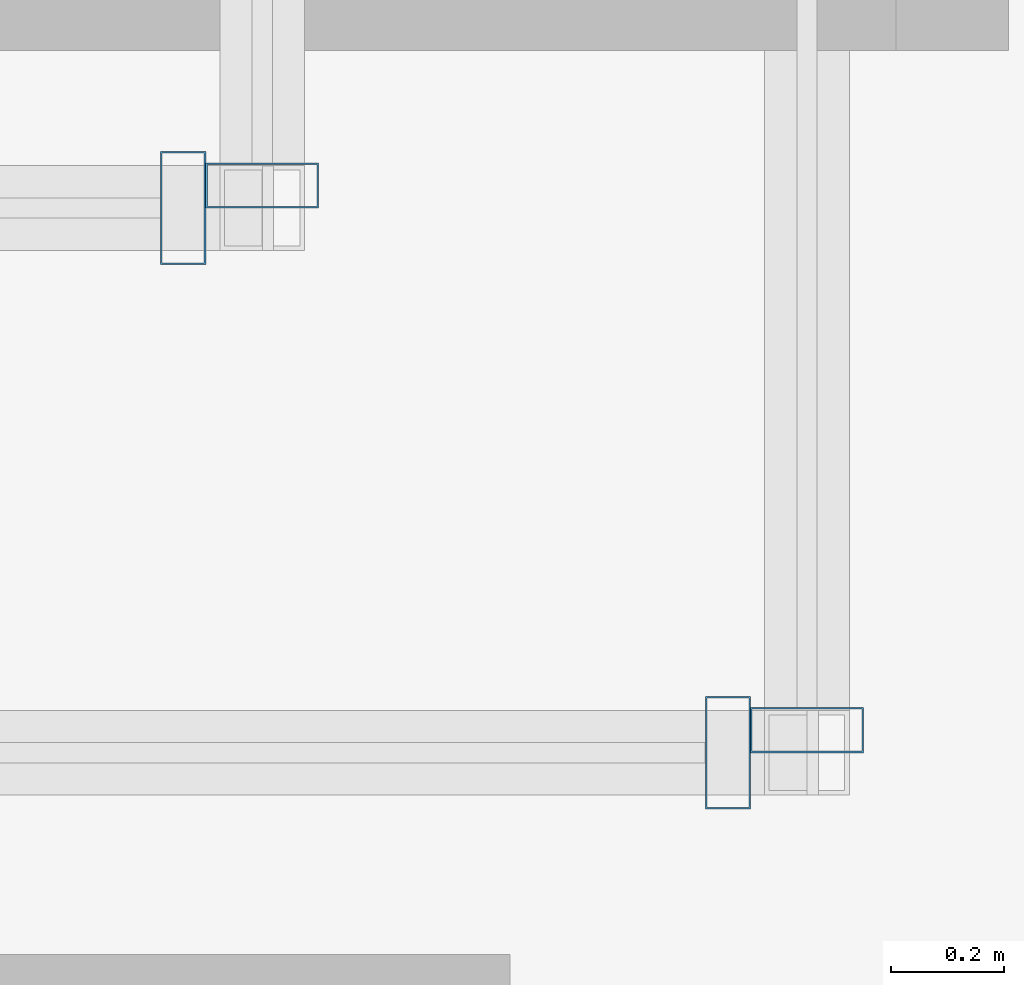
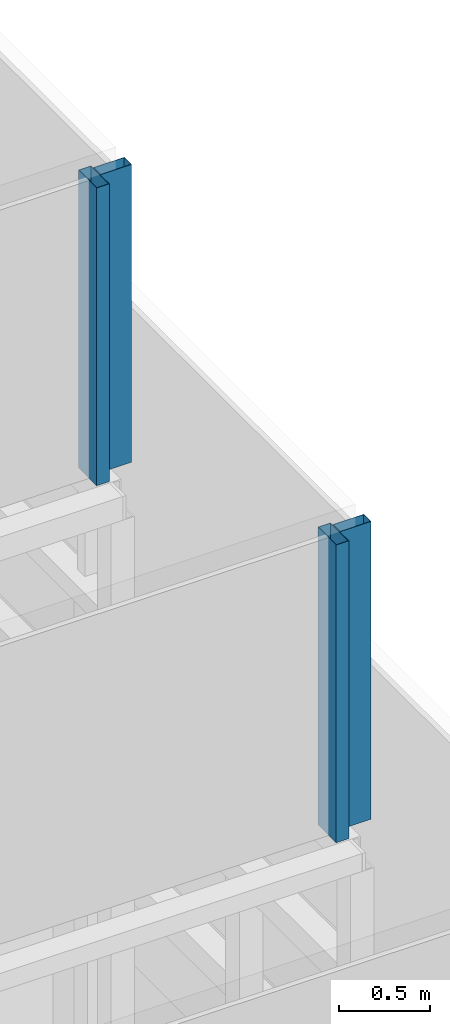
# One storey, part 38 of 62: 4 members, 4 elements without a shape of their own.
"""IFC4 building model written with IfcOpenShell, lengths in metres."""

from ifc_helpers import new_model, si_unit, direction, frame, origin, origin_2d, place, context, subcontext, project, spatial, hollow_rectangle, extrude, material, material_profile, profile_set, type_object, element, aggregate, save


model = new_model("IFC4")

# Units and contexts
model_context = context("Model", 3, precision=1e-05, world=origin(), true_north=direction((0.0, 1.0)))
body_context = subcontext(model_context, "Body", "Model", "MODEL_VIEW")
ifc_project = project(units=[si_unit("LENGTHUNIT", "METRE"), si_unit("AREAUNIT", "SQUARE_METRE"), si_unit("VOLUMEUNIT", "CUBIC_METRE"), si_unit("PLANEANGLEUNIT", "RADIAN"), si_unit("MASSUNIT", "GRAM", prefix="KILO")], contexts=[model_context])

# Site, building, storey
site_placement = place(None, origin())
site = spatial("IfcSite", under=ifc_project, at=site_placement, CompositionType="ELEMENT")
building_placement = place(site_placement, origin())
building = spatial("IfcBuilding", under=site, at=building_placement, Name="Altepetl Exchange Towers", CompositionType="ELEMENT")
storey_placement = place(building_placement, frame((0.0, 0.0, 210.0)))
storey = spatial("IfcBuildingStorey", under=building, at=storey_placement, Name="L53", CompositionType="ELEMENT", Elevation=210.0)

# Curtain wall, member
ifc_material_1 = material(Name="Aluminium 6063-T6 glazing", Category="aluminium")
curtain_wall_type = type_object("IfcCurtainWallType", Name="Crown glazing system", PredefinedType="NOTDEFINED", material=ifc_material_1)
curtain_wall_1_placement = place(storey_placement, origin())
curtain_wall_1 = element("IfcCurtainWall", 1, at=curtain_wall_1_placement, inside=storey, type_object=curtain_wall_type, Name="CW7 run", PredefinedType="NOTDEFINED")
ifc_material_2 = material(Name="Aluminium 6063-T6", Category="aluminium")
ifc_material_profile = material_profile(ifc_material_2, hollow_rectangle(XDim=0.080078125, YDim=0.199951171875, WallThickness=0.0029296875, at=origin_2d()), Name="Mullion 80x200 hollow aluminium")
ifc_profile_set = profile_set([ifc_material_profile], Name="Aluminium 6063-T6")
member_type = type_object("IfcMemberType", Name="Mullion 80x200 hollow aluminium", PredefinedType="MULLION", material=ifc_profile_set)
member_1_placement = place(storey_placement, frame((113.0029296875, 39.857177734375, 10.050048828125)))
member_1 = element("IfcMember", 2, at=member_1_placement, type_object=member_type, Name="MU5 mullion", PredefinedType="MULLION", context=body_context, shape_type="SweptSolid", body=[
    extrude(hollow_rectangle(XDim=0.080078125, YDim=0.199951171875, WallThickness=0.0029296875, at=origin_2d()), origin(), (0.0, 0.0, 1.0), 2.0),
])
aggregate(curtain_wall_1, [member_1])

curtain_wall_2_placement = place(storey_placement, origin())
curtain_wall_2 = element("IfcCurtainWall", 3, at=curtain_wall_2_placement, inside=storey, type_object=curtain_wall_type, Name="CW7 run", PredefinedType="NOTDEFINED")
member_2_placement = place(storey_placement, frame((113.142822265625, 39.897216796875, 10.050048828125), z_axis=(0.0, 0.0, 1.0), x_axis=(0.0, 1.0, 0.0)))
member_2 = element("IfcMember", 4, at=member_2_placement, type_object=member_type, Name="MU5 mullion", PredefinedType="MULLION", context=body_context, shape_type="SweptSolid", body=[
    extrude(hollow_rectangle(XDim=0.080078125, YDim=0.199951171875, WallThickness=0.0029296875, at=origin_2d()), origin(), (0.0, 0.0, 1.0), 2.0),
])
aggregate(curtain_wall_2, [member_2])

curtain_wall_3_placement = place(storey_placement, origin())
curtain_wall_3 = element("IfcCurtainWall", 5, at=curtain_wall_3_placement, inside=storey, type_object=curtain_wall_type, Name="CW7 run", PredefinedType="NOTDEFINED")
member_3_placement = place(storey_placement, frame((112.03857421875, 40.821533203125, 12.199951171875)))
member_3 = element("IfcMember", 6, at=member_3_placement, type_object=member_type, Name="MU5 mullion", PredefinedType="MULLION", context=body_context, shape_type="SweptSolid", body=[
    extrude(hollow_rectangle(XDim=0.080078125, YDim=0.199951171875, WallThickness=0.0029296875, at=origin_2d()), origin(), (0.0, 0.0, 1.0), 2.0),
])
aggregate(curtain_wall_3, [member_3])

curtain_wall_4_placement = place(storey_placement, origin())
curtain_wall_4 = element("IfcCurtainWall", 7, at=curtain_wall_4_placement, inside=storey, type_object=curtain_wall_type, Name="CW7 run", PredefinedType="NOTDEFINED")
member_4_placement = place(storey_placement, frame((112.178466796875, 40.861328125, 12.199951171875), z_axis=(0.0, 0.0, 1.0), x_axis=(0.0, 1.0, 0.0)))
member_4 = element("IfcMember", 8, at=member_4_placement, type_object=member_type, Name="MU5 mullion", PredefinedType="MULLION", context=body_context, shape_type="SweptSolid", body=[
    extrude(hollow_rectangle(XDim=0.080078125, YDim=0.199951171875, WallThickness=0.0029296875, at=origin_2d()), origin(), (0.0, 0.0, 1.0), 2.0),
])
aggregate(curtain_wall_4, [member_4])

save(model, "model.ifc")
